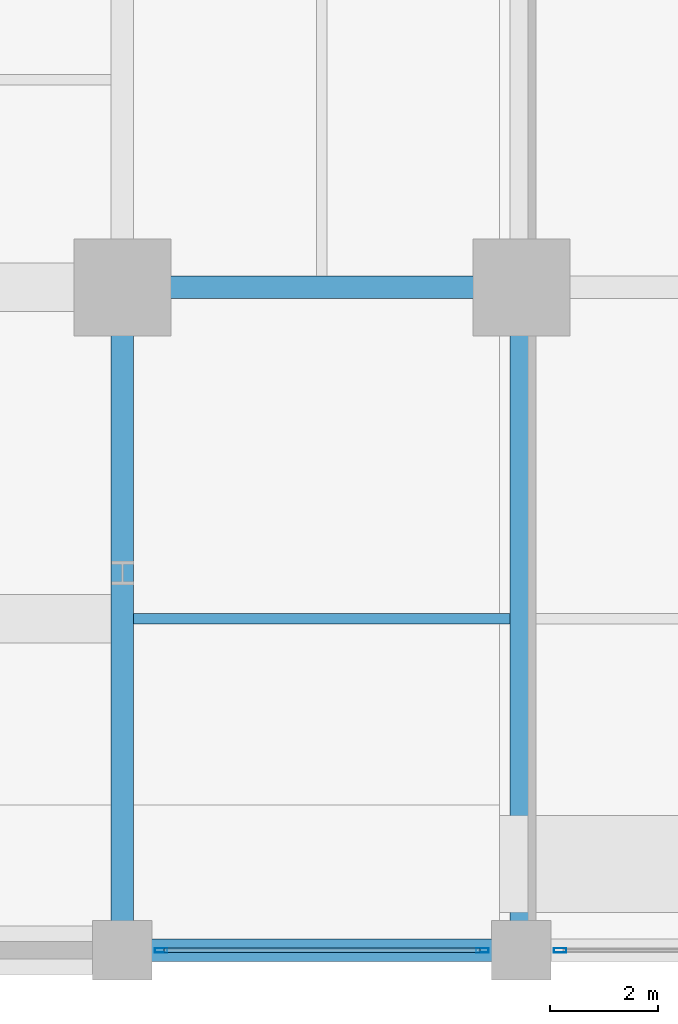
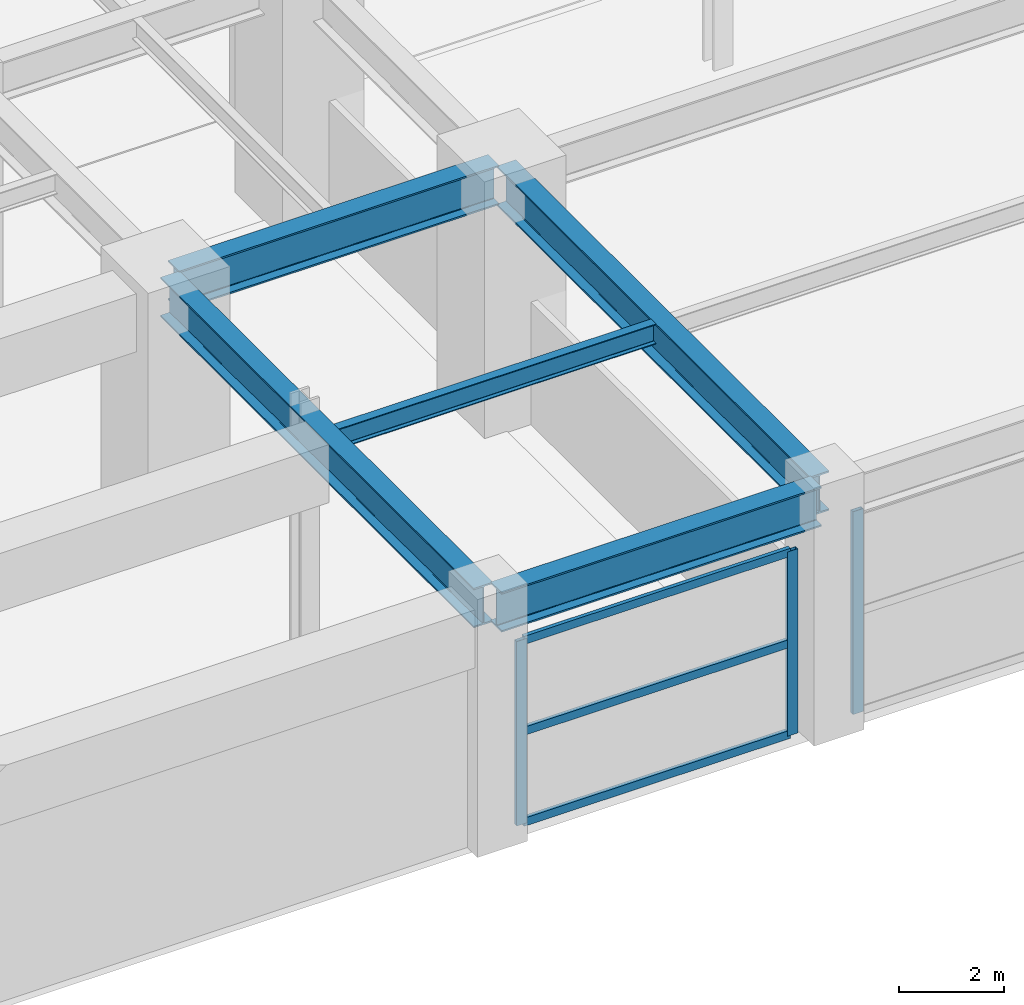
# One storey, part 11 of 41: 6 members, 5 beams, 2 elements without a shape of their own.
"""IFC4 building model written with IfcOpenShell, lengths in metres."""

import ifcopenshell
import ifcopenshell.guid

model = None  # the IFC model being written
_history = None  # IfcOwnerHistory: only IFC2X3 demands one
_inside = {}  # id of a spatial element -> (the spatial element, [elements in it])
_under = {}  # id of a project, library or spatial element -> (it, [spatial elements below it])
_declared = {}  # id of a project -> (the project, [libraries it declares])
_typed = {}  # id of a type object -> (the type object, [elements of that type])
_made_of = {}  # id of a material, layer set ... -> (it, [elements and type objects made of it])


def new_model(schema):
    """Start an empty IFC model of exactly this schema.

    Asked for "IFC4X3", IfcOpenShell would pick the latest addendum, in which some entities
    have other attributes; the version numbers below select the first issue.
    IFC2X3 requires an IfcOwnerHistory on every rooted entity: one is made here for all.
    """
    global model, _history
    if schema == "IFC4X3":
        model = ifcopenshell.file(schema_version=(4, 3, 0, 0))
    else:
        model = ifcopenshell.file(schema=schema)
    _inside.clear()
    _under.clear()
    _declared.clear()
    _typed.clear()
    _made_of.clear()
    _history = None
    if model.schema == "IFC2X3":
        org = make("IfcOrganization", Name="unknown")
        user = make(
            "IfcPersonAndOrganization",
            ThePerson=make("IfcPerson", FamilyName="unknown"),
            TheOrganization=org,
        )
        app = make(
            "IfcApplication",
            ApplicationDeveloper=org,
            Version="unknown",
            ApplicationFullName="unknown",
            ApplicationIdentifier="unknown",
        )
        _history = make(
            "IfcOwnerHistory",
            OwningUser=user,
            OwningApplication=app,
            ChangeAction="ADDED",
            CreationDate=0,
        )
    return model


def make(cls, **values):
    """One entity of the class cls with the attributes given. An attribute that is None is left unset."""
    return model.create_entity(
        cls, **{name: value for name, value in values.items() if value is not None}
    )


def rooted(cls, **values):
    """An entity with a GlobalId (a new one), such as an element, a storey or a relation."""
    return make(cls, GlobalId=ifcopenshell.guid.new(), OwnerHistory=_history, **values)


def si_unit(unit_type, name, prefix=None):
    """IfcSIUnit, for example si_unit("LENGTHUNIT", "METRE", prefix="MILLI")."""
    return make("IfcSIUnit", UnitType=unit_type, Prefix=prefix, Name=name)


def assignment(units):
    """IfcUnitAssignment: the units of a project."""
    return None if units is None else make("IfcUnitAssignment", Units=units)


def point(xyz):
    """IfcCartesianPoint."""
    return None if xyz is None else make("IfcCartesianPoint", Coordinates=xyz)


def direction(xyz):
    """IfcDirection."""
    return None if xyz is None else make("IfcDirection", DirectionRatios=xyz)


def frame(location, z_axis=None, x_axis=None):
    """IfcAxis2Placement3D, a coordinate frame: its origin and axes. An axis left out is left unset."""
    return make(
        "IfcAxis2Placement3D",
        Location=point(location),
        Axis=direction(z_axis),
        RefDirection=direction(x_axis),
    )


def frame_2d(location, x_axis=None):
    """IfcAxis2Placement2D, a coordinate frame in the plane: its origin and x axis."""
    return make(
        "IfcAxis2Placement2D", Location=point(location), RefDirection=direction(x_axis)
    )


def origin():
    """The frame at (0, 0, 0) with its axes left unset."""
    return frame((0.0, 0.0, 0.0))


def origin_2d():
    """The frame at (0, 0) in the plane with its x axis left unset."""
    return frame_2d((0.0, 0.0))


def place(relative_to, where):
    """IfcLocalPlacement: puts the frame where relative to a parent placement (None: the world)."""
    return make(
        "IfcLocalPlacement", PlacementRelTo=relative_to, RelativePlacement=where
    )


def context(
    kind, dimensions, precision=None, world=None, true_north=None, identifier=None
):
    """IfcGeometricRepresentationContext, for example the 3D "Model" context."""
    return make(
        "IfcGeometricRepresentationContext",
        ContextIdentifier=identifier,
        ContextType=kind,
        CoordinateSpaceDimension=dimensions,
        Precision=precision,
        WorldCoordinateSystem=world,
        TrueNorth=true_north,
    )


def subcontext(parent, identifier, kind, view, scale=None):
    """IfcGeometricRepresentationSubContext, for example "Body" below "Model"."""
    return make(
        "IfcGeometricRepresentationSubContext",
        ContextIdentifier=identifier,
        ContextType=kind,
        ParentContext=parent,
        TargetScale=scale,
        TargetView=view,
    )


def project(units=None, contexts=None):
    """IfcProject with its units and contexts."""
    return rooted(
        "IfcProject",
        Name="project",
        RepresentationContexts=contexts,
        UnitsInContext=assignment(units),
    )


def spatial(cls, under=None, at=None, **own):
    """A site, building, storey or space (cls), placed at a placement, below another one or the project."""
    s = rooted(cls, ObjectPlacement=at, **own)
    if under is not None:
        _under.setdefault(under.id(), (under, []))[1].append(s)
    return s


def profile(cls, at=None, kind="AREA", **sizes):
    """A parametric profile (cls). Its sizes go by their IFC names, for example OverallWidth=200.0."""
    return make(cls, ProfileType=kind, Position=at, **sizes)


def hollow_rectangle(**sizes):
    """IfcRectangleHollowProfileDef."""
    return profile("IfcRectangleHollowProfileDef", **sizes)


def i_section(**sizes):
    """IfcIShapeProfileDef."""
    return profile("IfcIShapeProfileDef", **sizes)


def extrude(swept, where, along, depth):
    """IfcExtrudedAreaSolid: the profile swept, set in the frame where, extruded along a direction by depth."""
    return make(
        "IfcExtrudedAreaSolid",
        SweptArea=swept,
        Position=where,
        ExtrudedDirection=direction(along),
        Depth=depth,
    )


def shape(context_of_items, identifier, shape_type, items):
    """IfcShapeRepresentation: the items that make up one representation, for example the "Body"."""
    return make(
        "IfcShapeRepresentation",
        ContextOfItems=context_of_items,
        RepresentationIdentifier=identifier,
        RepresentationType=shape_type,
        Items=items,
    )


def material(Name=None, Category=None):
    """IfcMaterial."""
    return make("IfcMaterial", Name=Name, Category=Category)


def material_profile(
    of_material, cross_section, Name=None, Category=None, Priority=None
):
    """IfcMaterialProfile: a cross section and its material."""
    return make(
        "IfcMaterialProfile",
        Name=Name,
        Material=of_material,
        Profile=cross_section,
        Priority=Priority,
        Category=Category,
    )


def profile_set(profiles, Name=None, composite=None):
    """IfcMaterialProfileSet."""
    return make(
        "IfcMaterialProfileSet",
        Name=Name,
        MaterialProfiles=profiles,
        CompositeProfile=composite,
    )


def made_of(thing, what):
    """Note that an element or type object is made of a material, layer set ...; save() writes the relation."""
    if what is not None:
        _made_of.setdefault(what.id(), (what, []))[1].append(thing)
    return thing


def type_object(cls, material=None, **own):
    """A type object (cls), such as IfcWallType, which elements share."""
    return made_of(rooted(cls, **own), material)


def element(
    cls,
    number,
    at=None,
    inside=None,
    cuts=None,
    type_object=None,
    material=None,
    context=None,
    identifier="Body",
    shape_type=None,
    held_by="IfcProductDefinitionShape",
    body=None,
    shapes=None,
    **own,
):
    """One element of the class cls, such as IfcWall. Its Tag is "e" and its number.

    at: its placement. inside: the storey or other place that contains it. cuts: it is an
    opening in that element (IfcRelVoidsElement). A single representation is given by context,
    identifier, shape_type and body (its items); several are given by shapes. held_by: the class
    of the entity that holds the representations. save() writes the other relations.
    """
    e = rooted(cls, Tag="e%d" % number, ObjectPlacement=at, **own)
    if body is not None:
        shapes = [shape(context, identifier, shape_type, body)]
    if shapes is not None:
        e.Representation = make(held_by, Representations=shapes)
    if inside is not None:
        _inside.setdefault(inside.id(), (inside, []))[1].append(e)
    if cuts is not None:
        rooted(
            "IfcRelVoidsElement", RelatingBuildingElement=cuts, RelatedOpeningElement=e
        )
    if type_object is not None:
        _typed.setdefault(type_object.id(), (type_object, []))[1].append(e)
    return made_of(e, material)


def aggregate(whole, parts):
    """IfcRelAggregates: a whole, such as a stair, and the parts it consists of."""
    return rooted("IfcRelAggregates", RelatingObject=whole, RelatedObjects=parts)


def save(model, path):
    """Write the relations noted so far, then the file.

    IfcRelAggregates (storeys below a building ...), IfcRelContainedInSpatialStructure (elements
    in a storey), IfcRelDefinesByType, IfcRelAssociatesMaterial and IfcRelDeclares: one each for
    every whole, place, type object, material and project.
    """
    for whole, parts in _under.values():
        aggregate(whole, parts)
    for where, things in _inside.values():
        rooted(
            "IfcRelContainedInSpatialStructure",
            RelatedElements=things,
            RelatingStructure=where,
        )
    for kind, things in _typed.values():
        rooted("IfcRelDefinesByType", RelatedObjects=things, RelatingType=kind)
    for what, things in _made_of.values():
        rooted("IfcRelAssociatesMaterial", RelatedObjects=things, RelatingMaterial=what)
    for by, libraries in _declared.values():
        rooted("IfcRelDeclares", RelatingContext=by, RelatedDefinitions=libraries)
    model.write(path)


model = new_model("IFC4")

# Units and contexts
model_context = context("Model", 3, precision=1e-05, world=origin(), true_north=direction((0.0, 1.0)))
body_context = subcontext(model_context, "Body", "Model", "MODEL_VIEW")
ifc_project = project(units=[si_unit("LENGTHUNIT", "METRE"), si_unit("AREAUNIT", "SQUARE_METRE"), si_unit("VOLUMEUNIT", "CUBIC_METRE"), si_unit("PLANEANGLEUNIT", "RADIAN"), si_unit("MASSUNIT", "GRAM", prefix="KILO")], contexts=[model_context])

# Site, building, storey
site_placement = place(None, origin())
site = spatial("IfcSite", under=ifc_project, at=site_placement, CompositionType="ELEMENT")
building_placement = place(site_placement, origin())
building = spatial("IfcBuilding", under=site, at=building_placement, Name="Kovane Verandah Tower", CompositionType="ELEMENT")
storey_placement = place(building_placement, origin())
storey = spatial("IfcBuildingStorey", under=building, at=storey_placement, Name="L00", CompositionType="ELEMENT", Elevation=0.0)

# Beams
ifc_material_1 = material(Name="Steel S460", Category="steel")
ifc_material_profile_1 = material_profile(ifc_material_1, i_section(OverallWidth=0.42041015625, OverallDepth=0.9208984375, WebThickness=0.021484375, FlangeThickness=0.03662109375, FilletRadius=0.024169921875, at=origin_2d()), Name="UB914x419x388")
ifc_profile_set_1 = profile_set([ifc_material_profile_1], Name="Steel S460")
beam_type_1 = type_object("IfcBeamType", Name="BM-UB914x388", PredefinedType="BEAM", material=ifc_profile_set_1)
for number, where, z_axis, x_axis, name in (
    (1, (51.179931640625, 10.800048828125, 5.259521484375), (1.0, 0.0, 0.0), (0.0, 1.0, 0.0), "L00 Primary Tower Girder G-RS3"),
    (2, (51.179931640625, -1.5, 5.239501953125), (1.0, 0.0, 0.0), (0.0, 1.0, 0.0), "L00 Podium Grid Girder X05"),
):
    element("IfcBeam", number, at=place(storey_placement, frame(where, z_axis=z_axis, x_axis=x_axis)), inside=storey, type_object=beam_type_1, Name=name, PredefinedType="BEAM", context=body_context, shape_type="SweptSolid", body=[
        extrude(i_section(OverallWidth=0.42041015625, OverallDepth=0.9208984375, WebThickness=0.021484375, FlangeThickness=0.03662109375, FilletRadius=0.024169921875, at=origin_2d()), origin(), (0.0, 0.0, 1.0), 7.0400390625),
    ])
for number, where, z_axis, x_axis, name in (
    (3, (51.0, -1.320068359375, 5.239501953125), (0.0, 1.0, 0.0), (-1.0, 0.0, 0.0), "L00 Podium Grid Girder Y45"),
    (4, (58.39990234375, -1.320068359375, 5.239501953125), (0.0, 1.0, 0.0), (-1.0, 0.0, 0.0), "L00 Podium Grid Girder Y47"),
):
    element("IfcBeam", number, at=place(storey_placement, frame(where, z_axis=z_axis, x_axis=x_axis)), inside=storey, type_object=beam_type_1, Name=name, PredefinedType="BEAM", context=body_context, shape_type="SweptSolid", body=[
        extrude(i_section(OverallWidth=0.42041015625, OverallDepth=0.9208984375, WebThickness=0.021484375, FlangeThickness=0.03662109375, FilletRadius=0.024169921875, at=origin_2d()), origin(), (0.0, 0.0, 1.0), 11.940185546875),
    ])

# Curtain wall, members
ifc_material_2 = material(Name="Champagne Anodised Aluminium Frame with Low-E Clear Laminated Glass", Category="aluminium")
curtain_wall_type = type_object("IfcCurtainWallType", Name="CW-SYS-01-POD", PredefinedType="NOTDEFINED", material=ifc_material_2)
curtain_wall_1_placement = place(storey_placement, origin())
curtain_wall_1 = element("IfcCurtainWall", 5, at=curtain_wall_1_placement, inside=storey, type_object=curtain_wall_type, Name="Ground South Shopfront Curtain Wall Bay 5", PredefinedType="NOTDEFINED")
ifc_material_3 = material(Name="Champagne Anodised Aluminium 6063-T6", Category="aluminium")
ifc_material_profile_2 = material_profile(ifc_material_3, hollow_rectangle(XDim=0.0849609375, YDim=0.22998046875, WallThickness=0.00390625, at=origin_2d()), Name="AL85x230x4")
ifc_profile_set_2 = profile_set([ifc_material_profile_2], Name="Champagne Anodised Aluminium 6063-T6")
member_type_1 = type_object("IfcMemberType", Name="CW-MUL-85x230", PredefinedType="MULLION", material=ifc_profile_set_2)
member_1_placement = place(storey_placement, frame((51.719970703125, -1.5, 0.02001953125), z_axis=(0.0, 0.0, 1.0), x_axis=(0.0, -1.0, 0.0)))
member_1 = element("IfcMember", 6, at=member_1_placement, type_object=member_type_1, Name="Ground South Shopfront Curtain Wall Bay 5 Mullion 1", PredefinedType="MULLION", context=body_context, shape_type="SweptSolid", body=[
    extrude(hollow_rectangle(XDim=0.0849609375, YDim=0.22998046875, WallThickness=0.00390625, at=origin_2d()), origin(), (0.0, 0.0, 1.0), 4.2900390625),
])
member_2_placement = place(storey_placement, frame((57.679931640625, -1.5, 0.02001953125), z_axis=(0.0, 0.0, 1.0), x_axis=(0.0, -1.0, 0.0)))
member_2 = element("IfcMember", 7, at=member_2_placement, type_object=member_type_1, Name="Ground South Shopfront Curtain Wall Bay 5 Mullion 2", PredefinedType="MULLION", context=body_context, shape_type="SweptSolid", body=[
    extrude(hollow_rectangle(XDim=0.0849609375, YDim=0.22998046875, WallThickness=0.00390625, at=origin_2d()), origin(), (0.0, 0.0, 1.0), 4.2900390625),
])

# Curtain wall, member
curtain_wall_2_placement = place(storey_placement, origin())
curtain_wall_2 = element("IfcCurtainWall", 8, at=curtain_wall_2_placement, inside=storey, type_object=curtain_wall_type, Name="Ground South Shopfront Curtain Wall Bay 6", PredefinedType="NOTDEFINED")
member_3_placement = place(storey_placement, frame((59.1201171875, -1.5, 0.02001953125), z_axis=(0.0, 0.0, 1.0), x_axis=(0.0, -1.0, 0.0)))
member_3 = element("IfcMember", 9, at=member_3_placement, type_object=member_type_1, Name="Ground South Shopfront Curtain Wall Bay 6 Mullion 1", PredefinedType="MULLION", context=body_context, shape_type="SweptSolid", body=[
    extrude(hollow_rectangle(XDim=0.0849609375, YDim=0.22998046875, WallThickness=0.00390625, at=origin_2d()), origin(), (0.0, 0.0, 1.0), 4.718994140625),
])
aggregate(curtain_wall_2, [member_3])

# Member
ifc_material_profile_3 = material_profile(ifc_material_3, hollow_rectangle(XDim=0.0849609375, YDim=0.18994140625, WallThickness=0.00390625, at=origin_2d()), Name="AL85x190x4")
ifc_profile_set_3 = profile_set([ifc_material_profile_3], Name="Champagne Anodised Aluminium 6063-T6")
member_type_2 = type_object("IfcMemberType", Name="CW-TRN-85x190", PredefinedType="USERDEFINED", material=ifc_profile_set_3)
member_4_placement = place(storey_placement, frame((51.77001953125, -1.5, 0.050048828125), z_axis=(1.0, 0.0, 0.0), x_axis=(0.0, 1.0, 0.0)))
member_4 = element("IfcMember", 10, at=member_4_placement, type_object=member_type_2, Name="Ground South Shopfront Curtain Wall Bay 5 Transom TB Bay 1", ObjectType="TRANSOM", PredefinedType="USERDEFINED", context=body_context, shape_type="SweptSolid", body=[
    extrude(hollow_rectangle(XDim=0.0849609375, YDim=0.18994140625, WallThickness=0.00390625, at=origin_2d()), origin(), (0.0, 0.0, 1.0), 5.85986328125),
])

member_5_placement = place(storey_placement, frame((51.77001953125, -1.5, 2.1650390625), z_axis=(1.0, 0.0, 0.0), x_axis=(0.0, 1.0, 0.0)))
member_5 = element("IfcMember", 11, at=member_5_placement, type_object=member_type_2, Name="Ground South Shopfront Curtain Wall Bay 5 Transom TM Bay 1", ObjectType="TRANSOM", PredefinedType="USERDEFINED", context=body_context, shape_type="SweptSolid", body=[
    extrude(hollow_rectangle(XDim=0.0849609375, YDim=0.18994140625, WallThickness=0.00390625, at=origin_2d()), origin(), (0.0, 0.0, 1.0), 5.85986328125),
])

member_6_placement = place(storey_placement, frame((51.77001953125, -1.5, 4.280029296875), z_axis=(1.0, 0.0, 0.0), x_axis=(0.0, 1.0, 0.0)))
member_6 = element("IfcMember", 12, at=member_6_placement, type_object=member_type_2, Name="Ground South Shopfront Curtain Wall Bay 5 Transom TT Bay 1", ObjectType="TRANSOM", PredefinedType="USERDEFINED", context=body_context, shape_type="SweptSolid", body=[
    extrude(hollow_rectangle(XDim=0.0849609375, YDim=0.18994140625, WallThickness=0.00390625, at=origin_2d()), origin(), (0.0, 0.0, 1.0), 5.85986328125),
])

aggregate(curtain_wall_1, [member_1, member_2, member_4, member_5, member_6])

# Beam
ifc_material_4 = material(Name="Steel S355", Category="steel")
ifc_material_profile_4 = material_profile(ifc_material_4, i_section(OverallWidth=0.19287109375, OverallDepth=0.46728515625, WebThickness=0.011474609375, FlangeThickness=0.01953125, FilletRadius=0.01025390625, at=origin_2d()), Name="UB457x191x98")
ifc_profile_set_4 = profile_set([ifc_material_profile_4], Name="Steel S355")
beam_type_2 = type_object("IfcBeamType", Name="JST-UB457x98", PredefinedType="JOIST", material=ifc_profile_set_4)
beam_placement = place(storey_placement, frame((51.208251953125, 4.64990234375, 5.46630859375), z_axis=(1.0, 0.0, 0.0), x_axis=(0.0, 1.0, 0.0)))
element("IfcBeam", 13, at=beam_placement, inside=storey, type_object=beam_type_2, Name="L00 Podium Secondary Joist 05", PredefinedType="JOIST", context=body_context, shape_type="SweptSolid", body=[
    extrude(i_section(OverallWidth=0.19287109375, OverallDepth=0.46728515625, WebThickness=0.011474609375, FlangeThickness=0.01953125, FilletRadius=0.01025390625, at=origin_2d()), origin(), (0.0, 0.0, 1.0), 6.983642578125),
])

save(model, "model.ifc")
